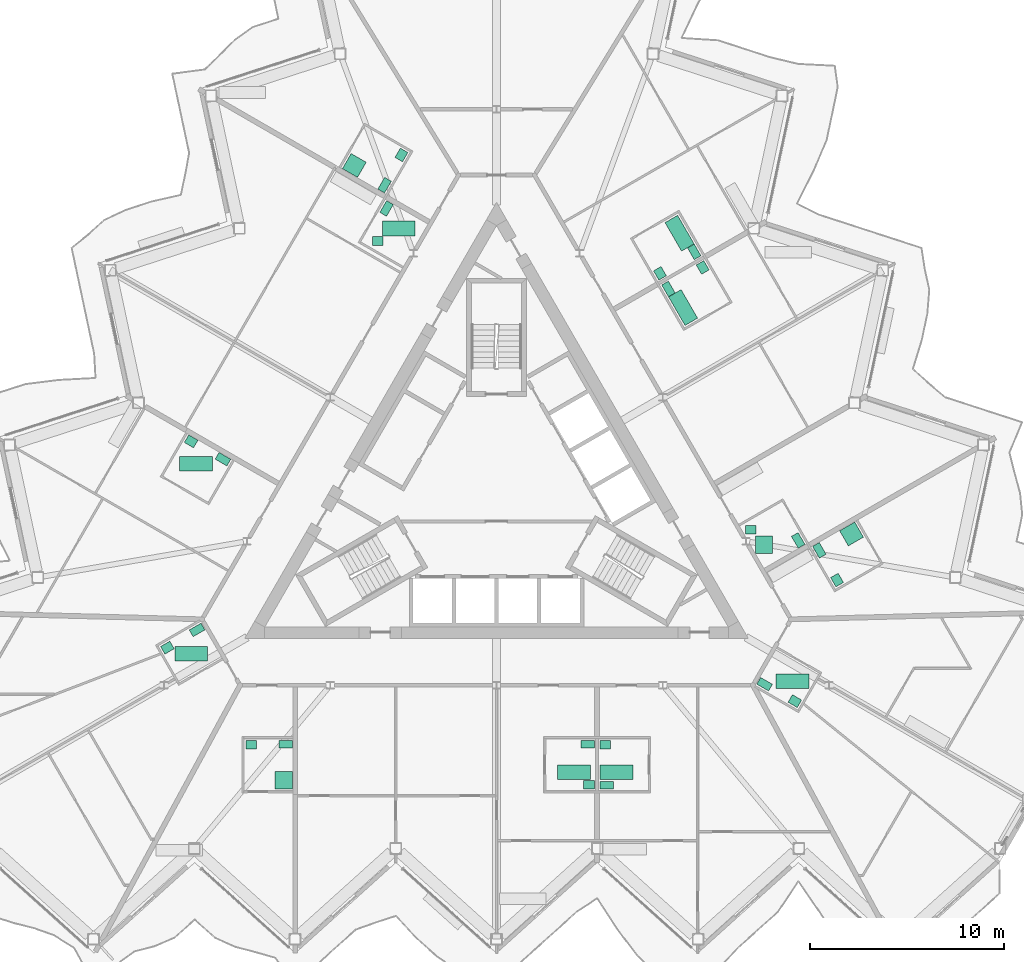
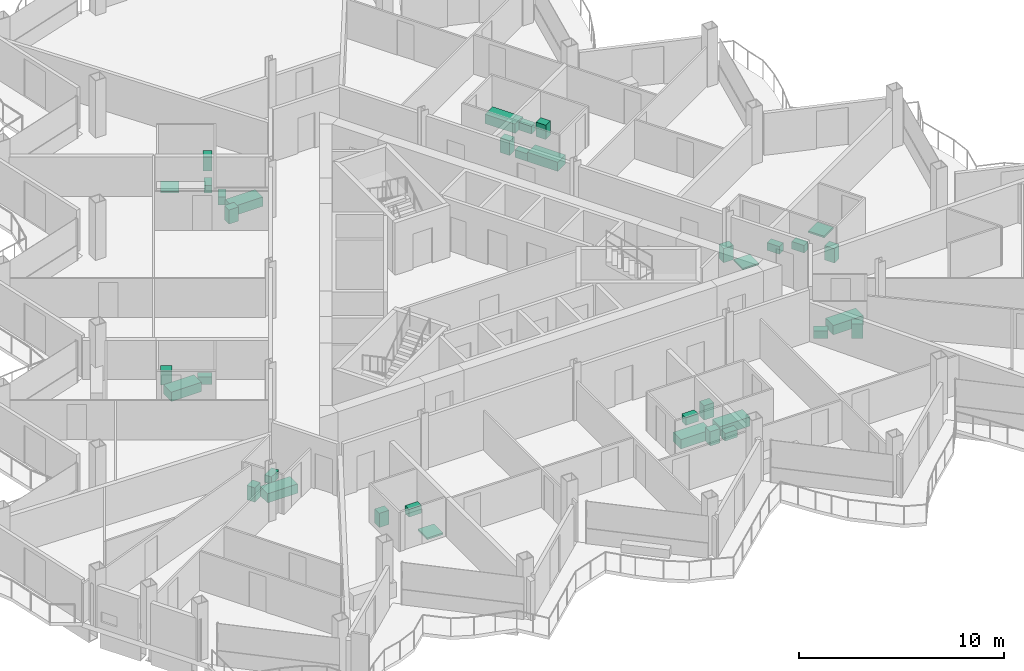
# One storey, part 27 of 28: 36 sanitary terminals.
"""IFC4 building model written with IfcOpenShell, lengths in metres."""

from ifc_helpers import new_model, si_unit, direction, frame, origin, origin_2d, place, context, subcontext, project, spatial, rectangle, extrude, material, type_object, element, save


model = new_model("IFC4")

# Units and contexts
model_context = context("Model", 3, precision=1e-05, world=origin(), true_north=direction((0.0, 1.0)))
body_context = subcontext(model_context, "Body", "Model", "MODEL_VIEW")
ifc_project = project(units=[si_unit("LENGTHUNIT", "METRE"), si_unit("AREAUNIT", "SQUARE_METRE"), si_unit("VOLUMEUNIT", "CUBIC_METRE"), si_unit("PLANEANGLEUNIT", "RADIAN"), si_unit("MASSUNIT", "GRAM", prefix="KILO")], contexts=[model_context])

# Site, building, storey
site_placement = place(None, origin())
site = spatial("IfcSite", under=ifc_project, at=site_placement, CompositionType="ELEMENT")
building_placement = place(site_placement, origin())
building = spatial("IfcBuilding", under=site, at=building_placement, Name="Cormorant Prow Tower", CompositionType="ELEMENT")
storey_placement = place(building_placement, frame((0.0, 0.0, 301.800048828125)))
storey = spatial("IfcBuildingStorey", under=building, at=storey_placement, Name="L65", CompositionType="ELEMENT", Elevation=301.800048828125)

# Sanitary terminals
ifc_material_1 = material(Name="Vitreous china")
sanitary_terminal_type_1 = type_object("IfcSanitaryTerminalType", Name="Bath 1700x750", PredefinedType="BATH", material=ifc_material_1)
for number, where, z_axis, x_axis, name in (
    (1, (3.98583984375, -14.385498046875, 0.0), (0.0, 0.0, 1.0), (1.0, 0.0, 0.0), "Bath"),
    (2, (6.185791015625, -14.385498046875, 0.0), (0.0, 0.0, 1.0), (1.0, 0.0, 0.0), "Bath"),
    (3, (15.2607421875, -9.70068359375, 0.0), (0.0, 0.0, 1.0), (1.0, 0.0, 0.0), "Bath"),
    (4, (9.6240234375, 9.581787109375, 0.0), (0.0, 0.0, 1.0), (-0.5, 0.866025403784, 0.0), "Bath"),
    (5, (9.443359375, 13.414794921875, 0.0), (0.0, 0.0, 1.0), (0.5, -0.866025403784, 0.0), "Bath"),
    (6, (-5.0458984375, 13.660400390625, 0.0), (0.0, 0.0, 1.0), (1.0, 0.0, 0.0), "Bath"),
    (7, (-15.50732421875, 1.523681640625, 0.0), (0.0, 0.0, 1.0), (1.0, 0.0, 0.0), "Bath"),
    (8, (-15.75244140625, -8.29248046875, 0.0), (0.0, 0.0, 1.0), (1.0, 0.0, 0.0), "Bath"),
):
    element("IfcSanitaryTerminal", number, at=place(storey_placement, frame(where, z_axis=z_axis, x_axis=x_axis)), inside=storey, type_object=sanitary_terminal_type_1, Name=name, PredefinedType="BATH", context=body_context, shape_type="SweptSolid", body=[
        extrude(rectangle(XDim=1.699951171875, YDim=0.75, at=origin_2d()), origin(), (0.0, 0.0, 1.0), 0.550048828125),
    ])
ifc_material_2 = material(Name="Vitreous china")
sanitary_terminal_type_2 = type_object("IfcSanitaryTerminalType", Name="Shower tray 900x900", PredefinedType="SHOWER", material=ifc_material_2)
for number, where, z_axis, x_axis, name in (
    (9, (-10.976806640625, -14.810546875, 0.0), (0.0, 0.0, 1.0), (-1.0, 0.0, 0.0), "Shower tray"),
    (10, (18.314697265625, -2.10107421875, 0.0), (0.0, 0.0, 1.0), (0.5, -0.866025403784, 0.0), "Shower tray"),
    (11, (13.79931640625, -2.658447265625, 0.0), (0.0, 0.0, 1.0), (1.0, 0.0, 0.0), "Shower tray"),
    (12, (-7.337890625, 16.91162109375, 0.0), (0.0, 0.0, 1.0), (0.5, 0.866025403784, 0.0), "Shower tray"),
):
    element("IfcSanitaryTerminal", number, at=place(storey_placement, frame(where, z_axis=z_axis, x_axis=x_axis)), inside=storey, type_object=sanitary_terminal_type_2, Name=name, PredefinedType="SHOWER", context=body_context, shape_type="SweptSolid", body=[
        extrude(rectangle(XDim=0.89990234375, YDim=0.89990234375, at=origin_2d()), origin(), (0.0, 0.0, 1.0), 0.10009765625),
    ])
ifc_material_3 = material(Name="Vitreous china")
sanitary_terminal_type_3 = type_object("IfcSanitaryTerminalType", Name="Wash basin 550x450", PredefinedType="WASHHANDBASIN", material=ifc_material_3)
for number, where, z_axis, x_axis, name in (
    (13, (-12.661865234375, -12.9755859375, 0.0), (0.0, 0.0, 1.0), (1.0, 0.0, 0.0), "Wash basin"),
    (14, (4.77099609375, -15.03564453125, 0.0), (0.0, 0.0, 1.0), (-1.0, 0.0, 0.0), "Wash basin"),
    (15, (5.61083984375, -12.9755859375, 0.0), (0.0, 0.0, 1.0), (1.0, 0.0, 0.0), "Wash basin"),
    (16, (15.390380859375, -10.72509765625, 0.0), (0.0, 0.0, 1.0), (-0.866025403784, 0.5, 0.0), "Wash basin"),
    (17, (17.568115234375, -4.477783203125, 0.0), (0.0, 0.0, 1.0), (-0.5, 0.866025403784, 0.0), "Wash basin"),
    (18, (13.124267578125, -1.88330078125, 0.0), (0.0, 0.0, 1.0), (1.0, 0.0, 0.0), "Wash basin"),
    (19, (10.6357421875, 11.6494140625, 0.0), (0.0, 0.0, 1.0), (0.5, -0.866025403784, 0.0), "Wash basin"),
    (20, (8.431640625, 11.346923828125, 0.0), (0.0, 0.0, 1.0), (-0.5, 0.866025403784, 0.0), "Wash basin"),
    (21, (-4.90625, 17.453369140625, 0.0), (0.0, 0.0, 1.0), (-0.5, -0.866025403784, 0.0), "Wash basin"),
    (22, (-6.12109375, 13.01025390625, 0.0), (0.0, 0.0, 1.0), (1.0, 0.0, 0.0), "Wash basin"),
    (23, (-15.75830078125, 2.677001953125, 0.0), (0.0, 0.0, 1.0), (0.866025403784, -0.5, 0.0), "Wash basin"),
    (24, (-16.9833984375, -7.966064453125, 0.0), (0.0, 0.0, 1.0), (0.866025403784, 0.5, 0.0), "Wash basin"),
):
    element("IfcSanitaryTerminal", number, at=place(storey_placement, frame(where, z_axis=z_axis, x_axis=x_axis)), inside=storey, type_object=sanitary_terminal_type_3, Name=name, PredefinedType="WASHHANDBASIN", context=body_context, shape_type="SweptSolid", body=[
        extrude(rectangle(XDim=0.550048828125, YDim=0.449951171875, at=origin_2d()), origin(), (0.0, 0.0, 1.0), 0.85009765625),
    ])
ifc_material_4 = material(Name="Vitreous china")
sanitary_terminal_type_4 = type_object("IfcSanitaryTerminalType", Name="Water closet 400x700", PredefinedType="WCSEAT", material=ifc_material_4)
for number, where, z_axis, x_axis, name in (
    (25, (-10.876953125, -12.95068359375, 0.0), (0.0, 0.0, 1.0), (0.0, -1.0, 0.0), "Water closet"),
    (26, (4.69580078125, -12.95068359375, 0.0), (0.0, 0.0, 1.0), (0.0, -1.0, 0.0), "Water closet"),
    (27, (5.685791015625, -15.060546875, 0.0), (0.0, 0.0, 1.0), (0.0, 1.0, 0.0), "Water closet"),
    (28, (13.83203125, -9.854248046875, 0.0), (0.0, 0.0, 1.0), (0.5, 0.866025403784, 0.0), "Water closet"),
    (29, (16.65380859375, -2.9443359375, 0.0), (0.0, 0.0, 1.0), (0.866025403784, 0.5, 0.0), "Water closet"),
    (30, (15.561279296875, -2.431884765625, 0.0), (0.0, 0.0, 1.0), (-0.866025403784, -0.5, 0.0), "Water closet"),
    (31, (8.867431640625, 10.5419921875, 0.0), (0.0, 0.0, 1.0), (0.866025403784, 0.5, 0.0), "Water closet"),
    (32, (10.199951171875, 12.454345703125, 0.0), (0.0, 0.0, 1.0), (-0.866025403784, -0.5, 0.0), "Water closet"),
    (33, (-5.777099609375, 15.89501953125, 0.0), (0.0, 0.0, 1.0), (-0.866025403784, 0.5, 0.0), "Water closet"),
    (34, (-5.674560546875, 14.692626953125, 0.0), (0.0, 0.0, 1.0), (0.866025403784, -0.5, 0.0), "Water closet"),
    (35, (-14.11328125, 1.756103515625, 0.0), (0.0, 0.0, 1.0), (-0.5, -0.866025403784, 0.0), "Water closet"),
    (36, (-15.4501953125, -7.0517578125, 0.0), (0.0, 0.0, 1.0), (0.5, -0.866025403784, 0.0), "Water closet"),
):
    element("IfcSanitaryTerminal", number, at=place(storey_placement, frame(where, z_axis=z_axis, x_axis=x_axis)), inside=storey, type_object=sanitary_terminal_type_4, Name=name, PredefinedType="WCSEAT", context=body_context, shape_type="SweptSolid", body=[
        extrude(rectangle(XDim=0.39990234375, YDim=0.699951171875, at=origin_2d()), origin(), (0.0, 0.0, 1.0), 0.449951171875),
    ])

save(model, "model.ifc")
